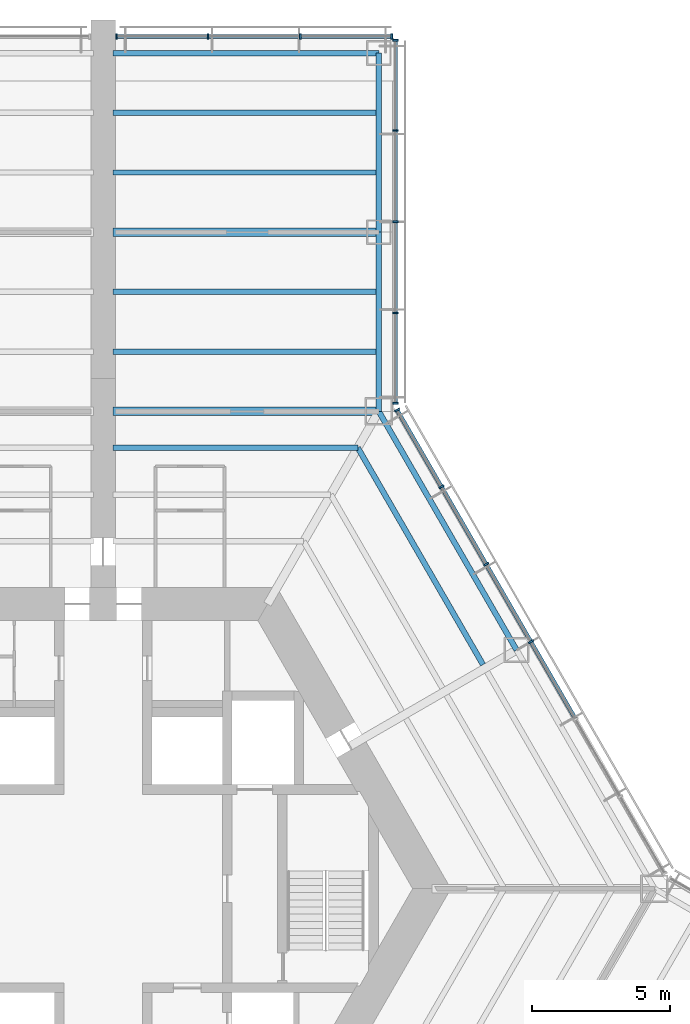
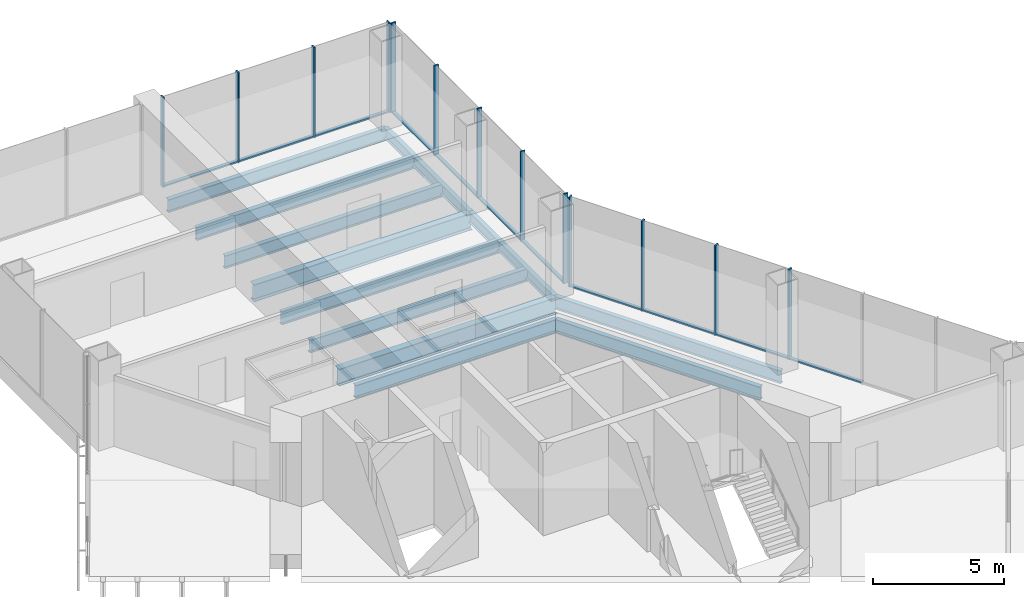
# One storey, part 7 of 15: 24 members, 12 beams, 3 elements without a shape of their own.
"""IFC4 building model written with IfcOpenShell, lengths in metres."""

from ifc_helpers import new_model, si_unit, direction, frame, origin, origin_2d, place, context, subcontext, project, spatial, rectangle, i_section, extrude, material, material_profile, profile_set, type_object, element, aggregate, save


model = new_model("IFC4")

# Units and contexts
model_context = context("Model", 3, precision=1e-05, world=origin(), true_north=direction((0.0, 1.0)))
body_context = subcontext(model_context, "Body", "Model", "MODEL_VIEW")
ifc_project = project(units=[si_unit("LENGTHUNIT", "METRE"), si_unit("AREAUNIT", "SQUARE_METRE"), si_unit("VOLUMEUNIT", "CUBIC_METRE"), si_unit("PLANEANGLEUNIT", "RADIAN"), si_unit("MASSUNIT", "GRAM", prefix="KILO")], contexts=[model_context])

# Site, building, storey
site_placement = place(None, origin())
site = spatial("IfcSite", under=ifc_project, at=site_placement, CompositionType="ELEMENT")
building_placement = place(site_placement, origin())
building = spatial("IfcBuilding", under=site, at=building_placement, Name="Kasaneha Research Tower", CompositionType="ELEMENT")
storey_placement = place(building_placement, frame((0.0, 0.0, 31.0)))
storey = spatial("IfcBuildingStorey", under=building, at=storey_placement, Name="L08", CompositionType="ELEMENT", Elevation=31.0)

# Beams
ifc_material_1 = material(Name="Steel SN490B", Category="steel")
ifc_material_profile_1 = material_profile(ifc_material_1, i_section(OverallWidth=0.199951171875, OverallDepth=0.60009765625, WebThickness=0.010986328125, FlangeThickness=0.01708984375, FilletRadius=0.012939453125, at=origin_2d()), Name="H-600x200x11x17")
ifc_profile_set_1 = profile_set([ifc_material_profile_1], Name="Steel SN490B")
beam_type_1 = type_object("IfcBeamType", Name="B1-2 secondary beam H-600x200x11x17", PredefinedType="JOIST", material=ifc_profile_set_1)
beam_1_placement = place(storey_placement, frame((9.237548828125, 16.0, -0.469970703125), z_axis=(0.500010814234, -0.866019160093, 0.0), x_axis=(0.866019160093, 0.500010814234, 0.0)))
element("IfcBeam", 1, at=beam_1_placement, inside=storey, type_object=beam_type_1, Name="Secondary beam RS030R3 L08", PredefinedType="JOIST", context=body_context, shape_type="SweptSolid", body=[
    extrude(i_section(OverallWidth=0.199951171875, OverallDepth=0.60009765625, WebThickness=0.010986328125, FlangeThickness=0.01708984375, FilletRadius=0.012939453125, at=origin_2d()), origin(), (0.0, 0.0, 1.0), 9.087646484375),
])
beam_2_placement = place(storey_placement, frame((9.237548828125, 16.0, -0.469970703125), z_axis=(-1.0, 0.0, 0.0), x_axis=(0.0, -1.0, 0.0)))
element("IfcBeam", 2, at=beam_2_placement, inside=storey, type_object=beam_type_1, Name="Secondary beam RS090L3 L08", PredefinedType="JOIST", context=body_context, shape_type="SweptSolid", body=[
    extrude(i_section(OverallWidth=0.199951171875, OverallDepth=0.60009765625, WebThickness=0.010986328125, FlangeThickness=0.01708984375, FilletRadius=0.012939453125, at=origin_2d()), origin(), (0.0, 0.0, 1.0), 8.887451171875),
])
ifc_material_2 = material(Name="Steel SN490B", Category="steel")
ifc_material_profile_2 = material_profile(ifc_material_2, i_section(OverallWidth=0.198974609375, OverallDepth=0.595947265625, WebThickness=0.010009765625, FlangeThickness=0.014892578125, FilletRadius=0.012939453125, at=origin_2d()), Name="H-596x199x10x15")
ifc_profile_set_2 = profile_set([ifc_material_profile_2], Name="Steel SN490B")
beam_type_2 = type_object("IfcBeamType", Name="B2-2 secondary beam H-596x199x10x15", PredefinedType="JOIST", material=ifc_profile_set_2)
for number, where, z_axis, x_axis, name in (
    (3, (10.0, 19.487060546875, -0.468017578125), (-1.0, 0.0, 0.0), (0.0, -1.0, 0.0), "Secondary beam WBAP1 L08"),
    (4, (10.0, 21.65380859375, -0.468017578125), (-1.0, 0.0, 0.0), (0.0, -1.0, 0.0), "Secondary beam WBAP2 L08"),
    (5, (10.0, 25.987060546875, -0.468017578125), (-1.0, 0.0, 0.0), (0.0, -1.0, 0.0), "Secondary beam WBAP3 L08"),
    (6, (10.0, 28.15380859375, -0.468017578125), (-1.0, 0.0, 0.0), (0.0, -1.0, 0.0), "Secondary beam WBAP4 L08"),
):
    element("IfcBeam", number, at=place(storey_placement, frame(where, z_axis=z_axis, x_axis=x_axis)), inside=storey, type_object=beam_type_2, Name=name, PredefinedType="JOIST", context=body_context, shape_type="SweptSolid", body=[
        extrude(i_section(OverallWidth=0.198974609375, OverallDepth=0.595947265625, WebThickness=0.010009765625, FlangeThickness=0.014892578125, FilletRadius=0.012939453125, at=origin_2d()), origin(), (0.0, 0.0, 1.0), 9.64990234375),
    ])

# Curtain wall, members
ifc_material_3 = material(Name="Glass and aluminium", Category="aluminium")
curtain_wall_type = type_object("IfcCurtainWallType", Name="Dry laboratory curtain wall", PredefinedType="USERDEFINED", material=ifc_material_3)
curtain_wall_1_placement = place(storey_placement, origin())
curtain_wall_1 = element("IfcCurtainWall", 7, at=curtain_wall_1_placement, inside=storey, type_object=curtain_wall_type, Name="CW-L2 L08 run 07a", ObjectType="UNITISED CURTAIN WALL", PredefinedType="USERDEFINED")
ifc_material_4 = material(Name="Aluminium 6063-T6", Category="aluminium")
ifc_material_profile_3 = material_profile(ifc_material_4, rectangle(XDim=0.06494140625, YDim=0.199951171875, at=origin_2d()), Name="CW-L2 mullion 65x200")
ifc_profile_set_3 = profile_set([ifc_material_profile_3], Name="Aluminium 6063-T6")
member_type_1 = type_object("IfcMemberType", Name="CW-L2 mullion", PredefinedType="MULLION", material=ifc_profile_set_3)
member_1_placement = place(storey_placement, frame((15.51953125, 8.960205078125, 0.0), z_axis=(0.0, 0.0, 1.0), x_axis=(-0.49999996188, 0.866025425793, 0.0)))
member_1 = element("IfcMember", 8, at=member_1_placement, type_object=member_type_1, Name="CW-L2 mullion 4", PredefinedType="MULLION", context=body_context, shape_type="SweptSolid", body=[
    extrude(rectangle(XDim=0.06494140625, YDim=0.199951171875, at=origin_2d()), origin(), (0.0, 0.0, 1.0), 4.199951171875),
])
member_2_placement = place(storey_placement, frame((13.896484375, 11.771728515625, 0.0), z_axis=(0.0, 0.0, 1.0), x_axis=(-0.49999996188, 0.866025425793, 0.0)))
member_2 = element("IfcMember", 9, at=member_2_placement, type_object=member_type_1, Name="CW-L2 mullion 5", PredefinedType="MULLION", context=body_context, shape_type="SweptSolid", body=[
    extrude(rectangle(XDim=0.06494140625, YDim=0.199951171875, at=origin_2d()), origin(), (0.0, 0.0, 1.0), 4.199951171875),
])
member_3_placement = place(storey_placement, frame((12.273193359375, 14.583251953125, 0.0), z_axis=(0.0, 0.0, 1.0), x_axis=(-0.49999996188, 0.866025425793, 0.0)))
member_3 = element("IfcMember", 10, at=member_3_placement, type_object=member_type_1, Name="CW-L2 mullion 6", PredefinedType="MULLION", context=body_context, shape_type="SweptSolid", body=[
    extrude(rectangle(XDim=0.06494140625, YDim=0.199951171875, at=origin_2d()), origin(), (0.0, 0.0, 1.0), 4.199951171875),
])
member_4_placement = place(storey_placement, frame((10.666259765625, 17.366455078125, 0.0), z_axis=(0.0, 0.0, 1.0), x_axis=(-0.49999996188, 0.866025425793, 0.0)))
member_4 = element("IfcMember", 11, at=member_4_placement, type_object=member_type_1, Name="CW-L2 mullion 7", PredefinedType="MULLION", context=body_context, shape_type="SweptSolid", body=[
    extrude(rectangle(XDim=0.06494140625, YDim=0.199951171875, at=origin_2d()), origin(), (0.0, 0.0, 1.0), 4.199951171875),
])

curtain_wall_2_placement = place(storey_placement, origin())
curtain_wall_2 = element("IfcCurtainWall", 12, at=curtain_wall_2_placement, inside=storey, type_object=curtain_wall_type, Name="CW-L2 L08 run 08a", ObjectType="UNITISED CURTAIN WALL", PredefinedType="USERDEFINED")
member_5_placement = place(storey_placement, frame((10.60009765625, 17.61376953125, 0.0), z_axis=(0.0, 0.0, 1.0), x_axis=(0.0, 1.0, 0.0)))
member_5 = element("IfcMember", 13, at=member_5_placement, type_object=member_type_1, Name="CW-L2 mullion 1", PredefinedType="MULLION", context=body_context, shape_type="SweptSolid", body=[
    extrude(rectangle(XDim=0.06494140625, YDim=0.199951171875, at=origin_2d()), origin(), (0.0, 0.0, 1.0), 4.199951171875),
])
member_6_placement = place(storey_placement, frame((10.60009765625, 20.89111328125, 0.0), z_axis=(0.0, 0.0, 1.0), x_axis=(0.0, 1.0, 0.0)))
member_6 = element("IfcMember", 14, at=member_6_placement, type_object=member_type_1, Name="CW-L2 mullion 2", PredefinedType="MULLION", context=body_context, shape_type="SweptSolid", body=[
    extrude(rectangle(XDim=0.06494140625, YDim=0.199951171875, at=origin_2d()), origin(), (0.0, 0.0, 1.0), 4.199951171875),
])
member_7_placement = place(storey_placement, frame((10.60009765625, 24.200927734375, 0.0), z_axis=(0.0, 0.0, 1.0), x_axis=(0.0, 1.0, 0.0)))
member_7 = element("IfcMember", 15, at=member_7_placement, type_object=member_type_1, Name="CW-L2 mullion 3", PredefinedType="MULLION", context=body_context, shape_type="SweptSolid", body=[
    extrude(rectangle(XDim=0.06494140625, YDim=0.199951171875, at=origin_2d()), origin(), (0.0, 0.0, 1.0), 4.199951171875),
])
member_8_placement = place(storey_placement, frame((10.60009765625, 27.5107421875, 0.0), z_axis=(0.0, 0.0, 1.0), x_axis=(0.0, 1.0, 0.0)))
member_8 = element("IfcMember", 16, at=member_8_placement, type_object=member_type_1, Name="CW-L2 mullion 4", PredefinedType="MULLION", context=body_context, shape_type="SweptSolid", body=[
    extrude(rectangle(XDim=0.06494140625, YDim=0.199951171875, at=origin_2d()), origin(), (0.0, 0.0, 1.0), 4.199951171875),
])
member_9_placement = place(storey_placement, frame((10.60009765625, 30.7880859375, 0.0), z_axis=(0.0, 0.0, 1.0), x_axis=(0.0, 1.0, 0.0)))
member_9 = element("IfcMember", 17, at=member_9_placement, type_object=member_type_1, Name="CW-L2 mullion 5", PredefinedType="MULLION", context=body_context, shape_type="SweptSolid", body=[
    extrude(rectangle(XDim=0.06494140625, YDim=0.199951171875, at=origin_2d()), origin(), (0.0, 0.0, 1.0), 4.199951171875),
])

curtain_wall_3_placement = place(storey_placement, origin())
curtain_wall_3 = element("IfcCurtainWall", 18, at=curtain_wall_3_placement, inside=storey, type_object=curtain_wall_type, Name="CW-L2 L08 run 09a", ObjectType="UNITISED CURTAIN WALL", PredefinedType="USERDEFINED")
member_10_placement = place(storey_placement, frame((10.467529296875, 30.92041015625, 0.0), z_axis=(0.0, 0.0, 1.0), x_axis=(-1.0, 0.0, 0.0)))
member_10 = element("IfcMember", 19, at=member_10_placement, type_object=member_type_1, Name="CW-L2 mullion 1", PredefinedType="MULLION", context=body_context, shape_type="SweptSolid", body=[
    extrude(rectangle(XDim=0.06494140625, YDim=0.199951171875, at=origin_2d()), origin(), (0.0, 0.0, 1.0), 4.199951171875),
])
member_11_placement = place(storey_placement, frame((7.14990234375, 30.92041015625, 0.0), z_axis=(0.0, 0.0, 1.0), x_axis=(-1.0, 0.0, 0.0)))
member_11 = element("IfcMember", 20, at=member_11_placement, type_object=member_type_1, Name="CW-L2 mullion 2", PredefinedType="MULLION", context=body_context, shape_type="SweptSolid", body=[
    extrude(rectangle(XDim=0.06494140625, YDim=0.199951171875, at=origin_2d()), origin(), (0.0, 0.0, 1.0), 4.199951171875),
])
member_12_placement = place(storey_placement, frame((3.800048828125, 30.92041015625, 0.0), z_axis=(0.0, 0.0, 1.0), x_axis=(-1.0, 0.0, 0.0)))
member_12 = element("IfcMember", 21, at=member_12_placement, type_object=member_type_1, Name="CW-L2 mullion 3", PredefinedType="MULLION", context=body_context, shape_type="SweptSolid", body=[
    extrude(rectangle(XDim=0.06494140625, YDim=0.199951171875, at=origin_2d()), origin(), (0.0, 0.0, 1.0), 4.199951171875),
])
member_13_placement = place(storey_placement, frame((0.482421875, 30.92041015625, 0.0), z_axis=(0.0, 0.0, 1.0), x_axis=(-1.0, 0.0, 0.0)))
member_13 = element("IfcMember", 22, at=member_13_placement, type_object=member_type_1, Name="CW-L2 mullion 4", PredefinedType="MULLION", context=body_context, shape_type="SweptSolid", body=[
    extrude(rectangle(XDim=0.06494140625, YDim=0.199951171875, at=origin_2d()), origin(), (0.0, 0.0, 1.0), 4.199951171875),
])

# Member
ifc_material_5 = material(Name="Aluminium 6063-T6", Category="aluminium")
ifc_material_profile_4 = material_profile(ifc_material_5, rectangle(XDim=0.14990234375, YDim=0.06494140625, at=origin_2d()), Name="CW-L2 transom 150x65")
ifc_profile_set_4 = profile_set([ifc_material_profile_4], Name="Aluminium 6063-T6")
member_type_2 = type_object("IfcMemberType", Name="CW-L2 transom", PredefinedType="USERDEFINED", material=ifc_profile_set_4)
member_14_placement = place(storey_placement, frame((17.12646484375, 6.177001953125, 0.032470703125), z_axis=(-0.499977104415, 0.866038622153, 0.0), x_axis=(-0.866038622153, -0.499977104415, 0.0)))
member_14 = element("IfcMember", 23, at=member_14_placement, type_object=member_type_2, Name="CW-L2 transom 3", ObjectType="TRANSOM", PredefinedType="USERDEFINED", context=body_context, shape_type="SweptSolid", body=[
    extrude(rectangle(XDim=0.14990234375, YDim=0.06494140625, at=origin_2d()), origin(), (0.0, 0.0, 1.0), 3.181396484375),
])

member_15_placement = place(storey_placement, frame((15.50341796875, 8.98828125, 0.032470703125), z_axis=(-0.500001430823, 0.866024577697, 0.0), x_axis=(-0.866024577697, -0.500001430823, 0.0)))
member_15 = element("IfcMember", 24, at=member_15_placement, type_object=member_type_2, Name="CW-L2 transom 4", ObjectType="TRANSOM", PredefinedType="USERDEFINED", context=body_context, shape_type="SweptSolid", body=[
    extrude(rectangle(XDim=0.14990234375, YDim=0.06494140625, at=origin_2d()), origin(), (0.0, 0.0, 1.0), 3.181640625),
])

member_16_placement = place(storey_placement, frame((13.880126953125, 11.7998046875, 0.032470703125), z_axis=(-0.499943876812, 0.866057804098, 0.0), x_axis=(-0.866057804098, -0.499943876812, 0.0)))
member_16 = element("IfcMember", 25, at=member_16_placement, type_object=member_type_2, Name="CW-L2 transom 5", ObjectType="TRANSOM", PredefinedType="USERDEFINED", context=body_context, shape_type="SweptSolid", body=[
    extrude(rectangle(XDim=0.14990234375, YDim=0.06494140625, at=origin_2d()), origin(), (0.0, 0.0, 1.0), 3.181396484375),
])

member_17_placement = place(storey_placement, frame((12.2568359375, 14.611328125, 0.032470703125), z_axis=(-0.499941702305, 0.866059059358, 0.0), x_axis=(-0.866059059358, -0.499941702305, 0.0)))
member_17 = element("IfcMember", 26, at=member_17_placement, type_object=member_type_2, Name="CW-L2 transom 6", ObjectType="TRANSOM", PredefinedType="USERDEFINED", context=body_context, shape_type="SweptSolid", body=[
    extrude(rectangle(XDim=0.14990234375, YDim=0.06494140625, at=origin_2d()), origin(), (0.0, 0.0, 1.0), 3.14892578125),
])

aggregate(curtain_wall_1, [member_1, member_2, member_3, member_4, member_14, member_15, member_16, member_17])

member_18_placement = place(storey_placement, frame((10.60009765625, 17.646240234375, 0.032470703125), z_axis=(0.0, 1.0, 0.0), x_axis=(-1.0, 0.0, 0.0)))
member_18 = element("IfcMember", 27, at=member_18_placement, type_object=member_type_2, Name="CW-L2 transom 1", ObjectType="TRANSOM", PredefinedType="USERDEFINED", context=body_context, shape_type="SweptSolid", body=[
    extrude(rectangle(XDim=0.14990234375, YDim=0.06494140625, at=origin_2d()), origin(), (0.0, 0.0, 1.0), 3.21240234375),
])

member_19_placement = place(storey_placement, frame((10.60009765625, 20.923583984375, 0.032470703125), z_axis=(0.0, 1.0, 0.0), x_axis=(-1.0, 0.0, 0.0)))
member_19 = element("IfcMember", 28, at=member_19_placement, type_object=member_type_2, Name="CW-L2 transom 2", ObjectType="TRANSOM", PredefinedType="USERDEFINED", context=body_context, shape_type="SweptSolid", body=[
    extrude(rectangle(XDim=0.14990234375, YDim=0.06494140625, at=origin_2d()), origin(), (0.0, 0.0, 1.0), 3.244873046875),
])

member_20_placement = place(storey_placement, frame((10.60009765625, 24.2333984375, 0.032470703125), z_axis=(0.0, 1.0, 0.0), x_axis=(-1.0, 0.0, 0.0)))
member_20 = element("IfcMember", 29, at=member_20_placement, type_object=member_type_2, Name="CW-L2 transom 3", ObjectType="TRANSOM", PredefinedType="USERDEFINED", context=body_context, shape_type="SweptSolid", body=[
    extrude(rectangle(XDim=0.14990234375, YDim=0.06494140625, at=origin_2d()), origin(), (0.0, 0.0, 1.0), 3.244873046875),
])

member_21_placement = place(storey_placement, frame((10.60009765625, 27.543212890625, 0.032470703125), z_axis=(0.0, 1.0, 0.0), x_axis=(-1.0, 0.0, 0.0)))
member_21 = element("IfcMember", 30, at=member_21_placement, type_object=member_type_2, Name="CW-L2 transom 4", ObjectType="TRANSOM", PredefinedType="USERDEFINED", context=body_context, shape_type="SweptSolid", body=[
    extrude(rectangle(XDim=0.14990234375, YDim=0.06494140625, at=origin_2d()), origin(), (0.0, 0.0, 1.0), 3.21240234375),
])

aggregate(curtain_wall_2, [member_5, member_6, member_7, member_8, member_9, member_18, member_19, member_20, member_21])

member_22_placement = place(storey_placement, frame((10.43505859375, 30.92041015625, 0.032470703125), z_axis=(-1.0, 0.0, 0.0), x_axis=(0.0, -1.0, 0.0)))
member_22 = element("IfcMember", 31, at=member_22_placement, type_object=member_type_2, Name="CW-L2 transom 1", ObjectType="TRANSOM", PredefinedType="USERDEFINED", context=body_context, shape_type="SweptSolid", body=[
    extrude(rectangle(XDim=0.14990234375, YDim=0.06494140625, at=origin_2d()), origin(), (0.0, 0.0, 1.0), 3.25244140625),
])

member_23_placement = place(storey_placement, frame((7.117431640625, 30.92041015625, 0.032470703125), z_axis=(-1.0, 0.0, 0.0), x_axis=(0.0, -1.0, 0.0)))
member_23 = element("IfcMember", 32, at=member_23_placement, type_object=member_type_2, Name="CW-L2 transom 2", ObjectType="TRANSOM", PredefinedType="USERDEFINED", context=body_context, shape_type="SweptSolid", body=[
    extrude(rectangle(XDim=0.14990234375, YDim=0.06494140625, at=origin_2d()), origin(), (0.0, 0.0, 1.0), 3.284912109375),
])

member_24_placement = place(storey_placement, frame((3.767578125, 30.92041015625, 0.032470703125), z_axis=(-1.0, 0.0, 0.0), x_axis=(0.0, -1.0, 0.0)))
member_24 = element("IfcMember", 33, at=member_24_placement, type_object=member_type_2, Name="CW-L2 transom 3", ObjectType="TRANSOM", PredefinedType="USERDEFINED", context=body_context, shape_type="SweptSolid", body=[
    extrude(rectangle(XDim=0.14990234375, YDim=0.06494140625, at=origin_2d()), origin(), (0.0, 0.0, 1.0), 3.252685546875),
])

aggregate(curtain_wall_3, [member_10, member_11, member_12, member_13, member_22, member_23, member_24])

# Beams
ifc_material_6 = material(Name="Steel SN490B", Category="steel")
ifc_material_profile_5 = material_profile(ifc_material_6, i_section(OverallWidth=0.300048828125, OverallDepth=0.7919921875, WebThickness=0.013916015625, FlangeThickness=0.02197265625, FilletRadius=0.01806640625, at=origin_2d()), Name="H-792x300x14x22")
ifc_profile_set_5 = profile_set([ifc_material_profile_5], Name="Steel SN490B")
beam_type_3 = type_object("IfcBeamType", Name="G3-2 plate edge girder H-792x300x14x22", PredefinedType="BEAM", material=ifc_profile_set_5)
beam_3_placement = place(storey_placement, frame((10.0, 17.320556640625, -0.56591796875), z_axis=(-1.0, 0.0, 0.0), x_axis=(0.0, -1.0, 0.0)))
element("IfcBeam", 34, at=beam_3_placement, inside=storey, type_object=beam_type_3, Name="Plate edge girder PEAP L08", PredefinedType="BEAM", context=body_context, shape_type="SweptSolid", body=[
    extrude(i_section(OverallWidth=0.300048828125, OverallDepth=0.7919921875, WebThickness=0.013916015625, FlangeThickness=0.02197265625, FilletRadius=0.01806640625, at=origin_2d()), origin(), (0.0, 0.0, 1.0), 9.64990234375),
])
ifc_material_7 = material(Name="Steel SN490B", Category="steel")
ifc_material_profile_6 = material_profile(ifc_material_7, i_section(OverallWidth=0.300048828125, OverallDepth=0.800048828125, WebThickness=0.013916015625, FlangeThickness=0.02587890625, FilletRadius=0.01806640625, at=origin_2d()), Name="H-800x300x14x26")
ifc_profile_set_6 = profile_set([ifc_material_profile_6], Name="Steel SN490B")
beam_type_4 = type_object("IfcBeamType", Name="G4-2 wing girder H-800x300x14x26", PredefinedType="BEAM", material=ifc_profile_set_6)
beam_4_placement = place(storey_placement, frame((10.0, 23.820556640625, -0.570068359375), z_axis=(-1.0, 0.0, 0.0), x_axis=(0.0, -1.0, 0.0)))
element("IfcBeam", 35, at=beam_4_placement, inside=storey, type_object=beam_type_4, Name="Wing girder WGAP L08", PredefinedType="BEAM", context=body_context, shape_type="SweptSolid", body=[
    extrude(i_section(OverallWidth=0.300048828125, OverallDepth=0.800048828125, WebThickness=0.013916015625, FlangeThickness=0.02587890625, FilletRadius=0.01806640625, at=origin_2d()), origin(), (0.0, 0.0, 1.0), 9.64990234375),
])
ifc_material_8 = material(Name="Steel SN490B", Category="steel")
ifc_material_profile_7 = material_profile(ifc_material_8, i_section(OverallWidth=0.199951171875, OverallDepth=0.60009765625, WebThickness=0.010986328125, FlangeThickness=0.01708984375, FilletRadius=0.012939453125, at=origin_2d()), Name="H-600x200x11x17")
ifc_profile_set_7 = profile_set([ifc_material_profile_7], Name="Steel SN490B")
beam_type_5 = type_object("IfcBeamType", Name="SB1-2 spandrel beam H-600x200x11x17", PredefinedType="SPANDREL", material=ifc_profile_set_7)
beam_5_placement = place(storey_placement, frame((10.0, 17.320556640625, -0.469970703125), z_axis=(0.499993662806, -0.866029062534, 0.0), x_axis=(0.866029062534, 0.499993662806, 0.0)))
element("IfcBeam", 36, at=beam_5_placement, inside=storey, type_object=beam_type_5, Name="Spandrel beam SR030R L08", PredefinedType="SPANDREL", context=body_context, shape_type="SweptSolid", body=[
    extrude(i_section(OverallWidth=0.199951171875, OverallDepth=0.60009765625, WebThickness=0.010986328125, FlangeThickness=0.01708984375, FilletRadius=0.012939453125, at=origin_2d()), origin(), (0.0, 0.0, 1.0), 10.000244140625),
])
ifc_material_9 = material(Name="Steel SN490B", Category="steel")
ifc_material_profile_8 = material_profile(ifc_material_9, i_section(OverallWidth=0.199951171875, OverallDepth=0.5, WebThickness=0.010009765625, FlangeThickness=0.01611328125, FilletRadius=0.012939453125, at=origin_2d()), Name="H-500x200x10x16")
ifc_profile_set_8 = profile_set([ifc_material_profile_8], Name="Steel SN490B")
beam_type_6 = type_object("IfcBeamType", Name="SB2-2 spandrel beam H-500x200x10x16", PredefinedType="SPANDREL", material=ifc_profile_set_8)
for number, where, z_axis, x_axis, name in (
    (37, (10.0, 17.320556640625, -0.419921875), (0.0, 1.0, 0.0), (-1.0, 0.0, 0.0), "Spandrel beam WSAP1 L08"),
    (38, (10.0, 23.820556640625, -0.419921875), (0.0, 1.0, 0.0), (-1.0, 0.0, 0.0), "Spandrel beam WSAP2 L08"),
):
    element("IfcBeam", number, at=place(storey_placement, frame(where, z_axis=z_axis, x_axis=x_axis)), inside=storey, type_object=beam_type_6, Name=name, PredefinedType="SPANDREL", context=body_context, shape_type="SweptSolid", body=[
        extrude(i_section(OverallWidth=0.199951171875, OverallDepth=0.5, WebThickness=0.010009765625, FlangeThickness=0.01611328125, FilletRadius=0.012939453125, at=origin_2d()), origin(), (0.0, 0.0, 1.0), 6.5),
    ])
ifc_material_10 = material(Name="Steel SN490B", Category="steel")
ifc_material_profile_9 = material_profile(ifc_material_10, i_section(OverallWidth=0.199951171875, OverallDepth=0.60009765625, WebThickness=0.010986328125, FlangeThickness=0.01708984375, FilletRadius=0.012939453125, at=origin_2d()), Name="H-600x200x11x17")
ifc_profile_set_9 = profile_set([ifc_material_profile_9], Name="Steel SN490B")
beam_type_7 = type_object("IfcBeamType", Name="SB3-2 spandrel beam H-600x200x11x17", PredefinedType="SPANDREL", material=ifc_profile_set_9)
beam_6_placement = place(storey_placement, frame((10.0, 30.320556640625, -0.469970703125), z_axis=(-1.0, 0.0, 0.0), x_axis=(0.0, -1.0, 0.0)))
element("IfcBeam", 39, at=beam_6_placement, inside=storey, type_object=beam_type_7, Name="Spandrel beam WTAP L08", PredefinedType="SPANDREL", context=body_context, shape_type="SweptSolid", body=[
    extrude(i_section(OverallWidth=0.199951171875, OverallDepth=0.60009765625, WebThickness=0.010986328125, FlangeThickness=0.01708984375, FilletRadius=0.012939453125, at=origin_2d()), origin(), (0.0, 0.0, 1.0), 9.64990234375),
])

save(model, "model.ifc")
